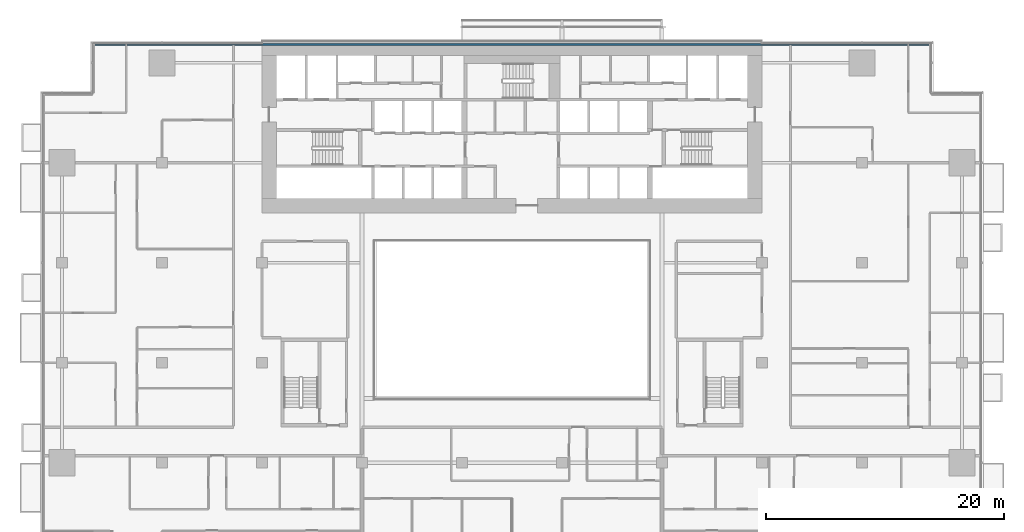
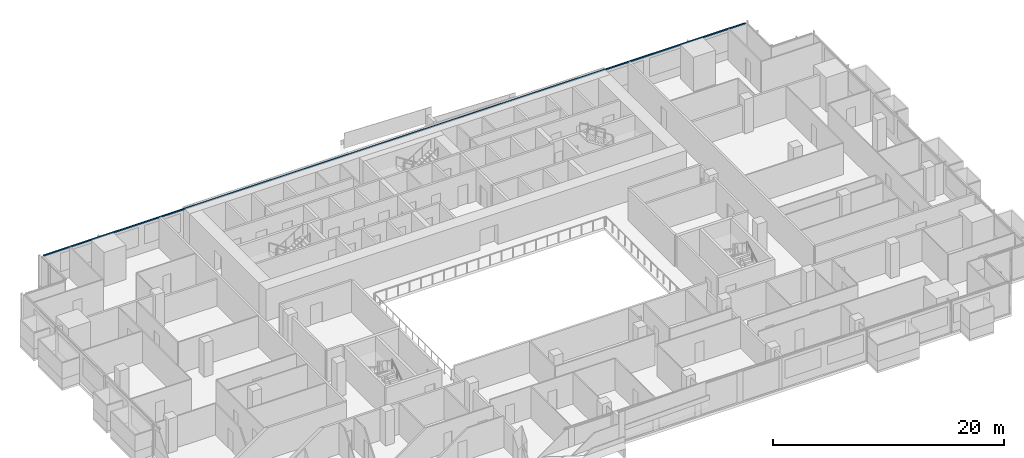
# One storey, part 9 of 27: 1 member, 1 element without a shape of its own.
"""IFC4 building model written with IfcOpenShell, lengths in metres."""

from ifc_helpers import new_model, si_unit, direction, frame, origin, origin_2d, place, context, subcontext, project, spatial, rectangle, extrude, material, material_profile, profile_set, type_object, element, aggregate, save


model = new_model("IFC4")

# Units and contexts
model_context = context("Model", 3, precision=1e-05, world=origin(), true_north=direction((0.0, 1.0)))
body_context = subcontext(model_context, "Body", "Model", "MODEL_VIEW")
ifc_project = project(units=[si_unit("LENGTHUNIT", "METRE"), si_unit("AREAUNIT", "SQUARE_METRE"), si_unit("VOLUMEUNIT", "CUBIC_METRE"), si_unit("PLANEANGLEUNIT", "RADIAN"), si_unit("MASSUNIT", "GRAM", prefix="KILO")], contexts=[model_context])

# Site, building, storey
site_placement = place(None, origin())
site = spatial("IfcSite", under=ifc_project, at=site_placement, CompositionType="ELEMENT")
building_placement = place(site_placement, origin())
building = spatial("IfcBuilding", under=site, at=building_placement, Name="Saffron Gate Tower", CompositionType="ELEMENT")
storey_placement = place(building_placement, frame((0.0, 0.0, 40.800048828125)))
storey = spatial("IfcBuildingStorey", under=building, at=storey_placement, Name="L08", CompositionType="ELEMENT", Elevation=40.800048828125)

# Curtain wall, member
ifc_material = material(Name="Aluminium, bronze anodised", Category="aluminium")
curtain_wall_type = type_object("IfcCurtainWallType", Name="CWS3 curtain wall rear facade", PredefinedType="NOTDEFINED", material=ifc_material)
curtain_wall_placement = place(storey_placement, origin())
curtain_wall = element("IfcCurtainWall", 1, at=curtain_wall_placement, inside=storey, type_object=curtain_wall_type, Name="CWS3 run 7", PredefinedType="NOTDEFINED")
ifc_material_profile = material_profile(ifc_material, rectangle(XDim=0.1201171875, YDim=0.1201171875, at=origin_2d()))
ifc_profile_set = profile_set([ifc_material_profile], Name="Aluminium, bronze anodised")
member_type = type_object("IfcMemberType", Name="CWS3 head transom", PredefinedType="USERDEFINED", material=ifc_profile_set)
member_placement = place(storey_placement, frame((122.632080078125, 75.35205078125, 3.260009765625), z_axis=(-1.0, 0.0, 0.0), x_axis=(0.0, -1.0, 0.0)))
member = element("IfcMember", 2, at=member_placement, type_object=member_type, Name="CWS3 head transom", ObjectType="TRANSOM", PredefinedType="USERDEFINED", context=body_context, shape_type="SweptSolid", body=[
    extrude(rectangle(XDim=0.1201171875, YDim=0.1201171875, at=origin_2d()), origin(), (0.0, 0.0, 1.0), 70.06396484375),
])
aggregate(curtain_wall, [member])

save(model, "model.ifc")
